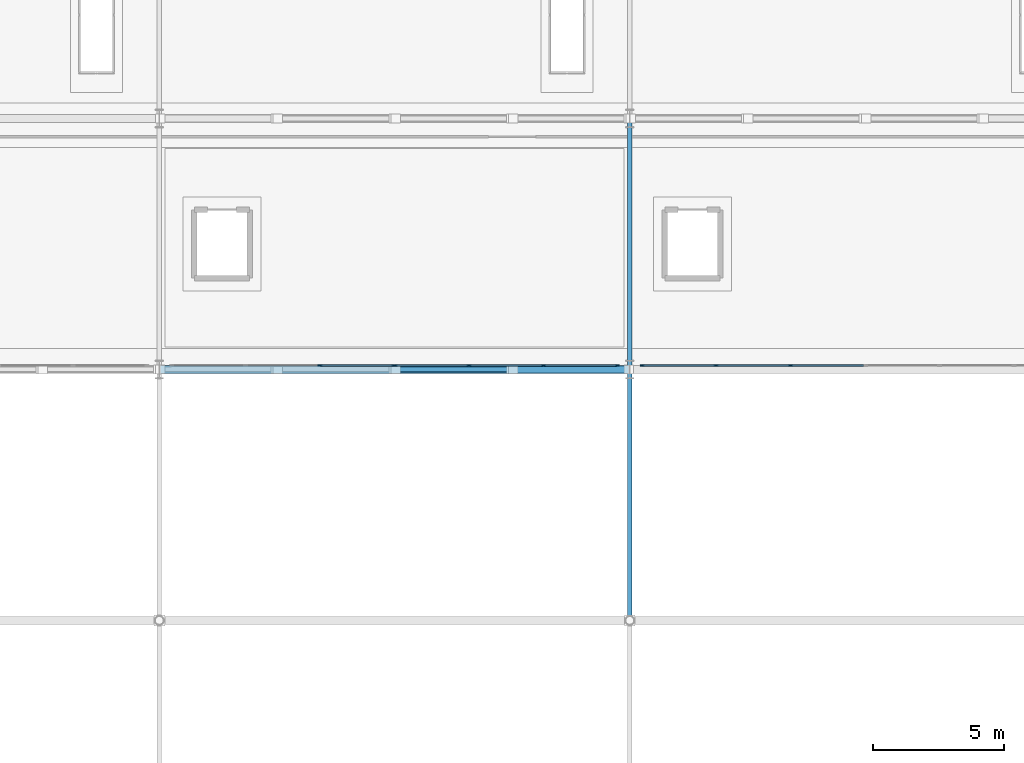
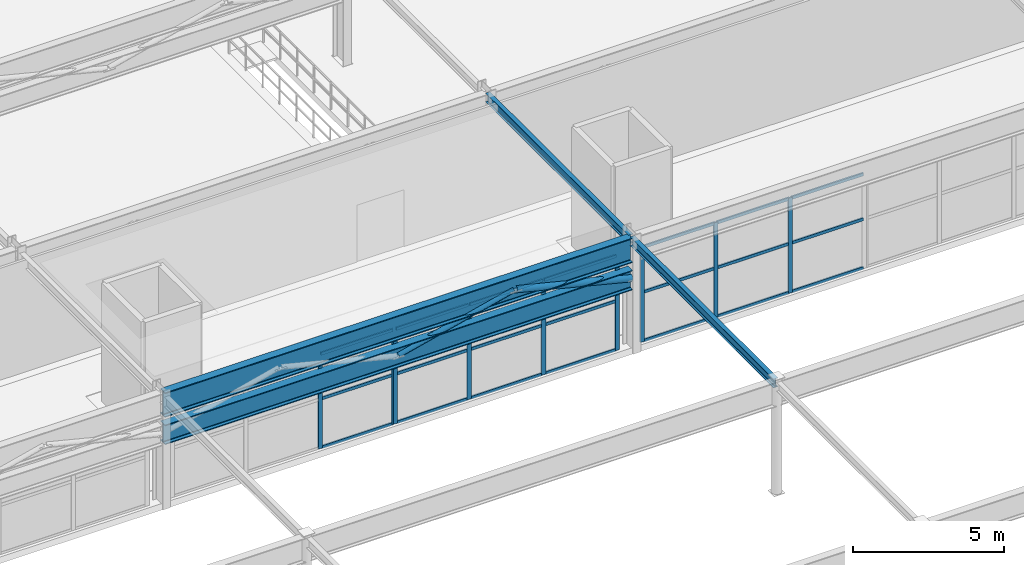
# One storey, part 27 of 125: 33 members, 3 beams, 3 elements without a shape of their own.
"""IFC4 building model written with IfcOpenShell, lengths in metres."""

from ifc_helpers import new_model, si_unit, direction, frame, origin, origin_2d, place, context, subcontext, project, spatial, rectangle, hollow_circle, i_section, extrude, material, layer, layer_set, material_profile, profile_set, type_object, element, aggregate, save


model = new_model("IFC4")

# Units and contexts
model_context = context("Model", 3, precision=1e-05, world=origin(), true_north=direction((0.0, 1.0)))
body_context = subcontext(model_context, "Body", "Model", "MODEL_VIEW")
ifc_project = project(units=[si_unit("LENGTHUNIT", "METRE"), si_unit("AREAUNIT", "SQUARE_METRE"), si_unit("VOLUMEUNIT", "CUBIC_METRE"), si_unit("PLANEANGLEUNIT", "RADIAN"), si_unit("MASSUNIT", "GRAM", prefix="KILO")], contexts=[model_context])

# Site, building, storey
site_placement = place(None, origin())
site = spatial("IfcSite", under=ifc_project, at=site_placement, CompositionType="ELEMENT")
building_placement = place(site_placement, origin())
building = spatial("IfcBuilding", under=site, at=building_placement, Name="Myrtia Square Station", CompositionType="ELEMENT")
storey_placement = place(building_placement, frame((0.0, 0.0, 6.0)))
storey = spatial("IfcBuildingStorey", under=building, at=storey_placement, Name="L01", CompositionType="ELEMENT", Elevation=6.0)

# Beams
ifc_material_1 = material(Name="Steel S355", Category="steel")
ifc_material_profile_1 = material_profile(ifc_material_1, i_section(OverallWidth=0.169921875, OverallDepth=0.360107421875, WebThickness=0.008056640625, FlangeThickness=0.0126953125, FilletRadius=0.01806640625, at=origin_2d()), Name="IPE 360")
ifc_profile_set_1 = profile_set([ifc_material_profile_1], Name="Steel S355")
beam_type_1 = type_object("IfcBeamType", Name="BM-IPE360", PredefinedType="BEAM", material=ifc_profile_set_1)
for number, where, z_axis, x_axis, name in (
    (1, (45.0, 28.85009765625, 4.375), (0.0, 1.0, 0.0), (-1.0, 0.0, 0.0), "Structural girder BMY-L01-0511"),
    (2, (45.0, 38.449951171875, 4.375), (0.0, 1.0, 0.0), (-1.0, 0.0, 0.0), "Structural girder BMY-L01-0512"),
):
    element("IfcBeam", number, at=place(storey_placement, frame(where, z_axis=z_axis, x_axis=x_axis)), inside=storey, type_object=beam_type_1, Name=name, PredefinedType="BEAM", context=body_context, shape_type="SweptSolid", body=[
        extrude(i_section(OverallWidth=0.169921875, OverallDepth=0.360107421875, WebThickness=0.008056640625, FlangeThickness=0.0126953125, FilletRadius=0.01806640625, at=origin_2d()), origin(), (0.0, 0.0, 1.0), 9.5),
    ])

# Members
ifc_material_profile_2 = material_profile(ifc_material_1, hollow_circle(Radius=0.109619140625, WallThickness=0.012451171875, at=origin_2d()), Name="CHS 219.1x12.5")
ifc_profile_set_2 = profile_set([ifc_material_profile_2], Name="Steel S355")
member_type_1 = type_object("IfcMemberType", Name="BRC-CHS219", PredefinedType="BRACE", material=ifc_profile_set_2)
member_1_placement = place(storey_placement, frame((36.0400390625, 38.39990234375, 2.85009765625), z_axis=(0.97040677758, 0.0, 0.241476056838), x_axis=(0.0, 1.0, 0.0)))
element("IfcMember", 3, at=member_1_placement, inside=storey, type_object=member_type_1, Name="Warren roof truss 01 diagonal 7", PredefinedType="BRACE", context=body_context, shape_type="SweptSolid", body=[
    extrude(hollow_circle(Radius=0.109619140625, WallThickness=0.012451171875, at=origin_2d()), origin(), (0.0, 0.0, 1.0), 4.5546875),
])
ifc_material_profile_3 = material_profile(ifc_material_1, hollow_circle(Radius=0.136474609375, WallThickness=0.01611328125, at=origin_2d()), Name="CHS 273x16")
ifc_profile_set_3 = profile_set([ifc_material_profile_3], Name="Steel S355")
member_type_2 = type_object("IfcMemberType", Name="BRC-CHS273", PredefinedType="BRACE", material=ifc_profile_set_3)
member_2_placement = place(storey_placement, frame((40.5400390625, 38.39990234375, 3.949951171875), z_axis=(0.97040677758, 0.0, -0.241476056838), x_axis=(0.0, 1.0, 0.0)))
element("IfcMember", 4, at=member_2_placement, inside=storey, type_object=member_type_2, Name="Warren roof truss 01 diagonal 8", PredefinedType="BRACE", context=body_context, shape_type="SweptSolid", body=[
    extrude(hollow_circle(Radius=0.136474609375, WallThickness=0.01611328125, at=origin_2d()), origin(), (0.0, 0.0, 1.0), 4.5546875),
])
ifc_material_profile_4 = material_profile(ifc_material_1, i_section(OverallWidth=0.300048828125, OverallDepth=0.800048828125, WebThickness=0.017578125, FlangeThickness=0.032958984375, FilletRadius=0.030029296875, at=origin_2d()), Name="HEB 800")
ifc_profile_set_4 = profile_set([ifc_material_profile_4], Name="Steel S355")
member_type_3 = type_object("IfcMemberType", Name="CHD-HEB800", PredefinedType="CHORD", material=ifc_profile_set_4)
member_3_placement = place(storey_placement, frame((27.050048828125, 38.39990234375, 2.85009765625), z_axis=(1.0, 0.0, 0.0), x_axis=(0.0, 1.0, 0.0)))
element("IfcMember", 5, at=member_3_placement, inside=storey, type_object=member_type_3, Name="Warren roof truss 01 bottom chord 2", PredefinedType="CHORD", context=body_context, shape_type="SweptSolid", body=[
    extrude(i_section(OverallWidth=0.300048828125, OverallDepth=0.800048828125, WebThickness=0.017578125, FlangeThickness=0.032958984375, FilletRadius=0.030029296875, at=origin_2d()), origin(), (0.0, 0.0, 1.0), 17.89990234375),
])

# Curtain wall, members
ifc_material_2 = material(Name="Dark bronze anodised aluminium", Category="aluminium")
ifc_layer = layer(ifc_material_2, 0.159912109375, Name="Dark bronze anodised aluminium")
ifc_layer_set = layer_set([ifc_layer], Name="Dark bronze anodised aluminium")
curtain_wall_type = type_object("IfcCurtainWallType", Name="CW-TYPE-18-855x385", PredefinedType="USERDEFINED", material=ifc_layer_set)
curtain_wall_1_placement = place(storey_placement, origin())
curtain_wall_1 = element("IfcCurtainWall", 6, at=curtain_wall_1_placement, inside=storey, type_object=curtain_wall_type, Name="Concourse curtain wall CW-L01-063", ObjectType="CONCOURSE CURTAIN WALL", PredefinedType="USERDEFINED")
ifc_material_profile_5 = material_profile(ifc_material_2, rectangle(XDim=0.06005859375, YDim=0.159912109375, at=origin_2d()), Name="ALU-M 60x160")
ifc_profile_set_5 = profile_set([ifc_material_profile_5], Name="Dark bronze anodised aluminium")
member_type_4 = type_object("IfcMemberType", Name="CWM-60x160", PredefinedType="MULLION", material=ifc_profile_set_5)
member_4_placement = place(storey_placement, frame((33.14990234375, 38.550048828125, 0.0), z_axis=(0.0, 0.0, 1.0), x_axis=(0.0, 1.0, 0.0)))
member_4 = element("IfcMember", 7, at=member_4_placement, type_object=member_type_4, Name="CW-063 mullion 3", PredefinedType="MULLION", context=body_context, shape_type="SweptSolid", body=[
    extrude(rectangle(XDim=0.06005859375, YDim=0.159912109375, at=origin_2d()), origin(), (0.0, 0.0, 1.0), 3.85009765625),
])
member_5_placement = place(storey_placement, frame((35.969970703125, 38.550048828125, 0.0), z_axis=(0.0, 0.0, 1.0), x_axis=(0.0, 1.0, 0.0)))
member_5 = element("IfcMember", 8, at=member_5_placement, type_object=member_type_4, Name="CW-063 mullion 4", PredefinedType="MULLION", context=body_context, shape_type="SweptSolid", body=[
    extrude(rectangle(XDim=0.06005859375, YDim=0.159912109375, at=origin_2d()), origin(), (0.0, 0.0, 1.0), 3.85009765625),
])

curtain_wall_2_placement = place(storey_placement, origin())
curtain_wall_2 = element("IfcCurtainWall", 9, at=curtain_wall_2_placement, inside=storey, type_object=curtain_wall_type, Name="Concourse curtain wall CW-L01-065", ObjectType="CONCOURSE CURTAIN WALL", PredefinedType="USERDEFINED")
member_6_placement = place(storey_placement, frame((36.030029296875, 38.550048828125, 0.0), z_axis=(0.0, 0.0, 1.0), x_axis=(0.0, 1.0, 0.0)))
member_6 = element("IfcMember", 10, at=member_6_placement, type_object=member_type_4, Name="CW-065 mullion 1", PredefinedType="MULLION", context=body_context, shape_type="SweptSolid", body=[
    extrude(rectangle(XDim=0.06005859375, YDim=0.159912109375, at=origin_2d()), origin(), (0.0, 0.0, 1.0), 3.85009765625),
])
member_7_placement = place(storey_placement, frame((38.85009765625, 38.550048828125, 0.0), z_axis=(0.0, 0.0, 1.0), x_axis=(0.0, 1.0, 0.0)))
member_7 = element("IfcMember", 11, at=member_7_placement, type_object=member_type_4, Name="CW-065 mullion 2", PredefinedType="MULLION", context=body_context, shape_type="SweptSolid", body=[
    extrude(rectangle(XDim=0.06005859375, YDim=0.159912109375, at=origin_2d()), origin(), (0.0, 0.0, 1.0), 3.85009765625),
])
member_8_placement = place(storey_placement, frame((41.699951171875, 38.550048828125, 0.0), z_axis=(0.0, 0.0, 1.0), x_axis=(0.0, 1.0, 0.0)))
member_8 = element("IfcMember", 12, at=member_8_placement, type_object=member_type_4, Name="CW-065 mullion 3", PredefinedType="MULLION", context=body_context, shape_type="SweptSolid", body=[
    extrude(rectangle(XDim=0.06005859375, YDim=0.159912109375, at=origin_2d()), origin(), (0.0, 0.0, 1.0), 3.85009765625),
])
member_9_placement = place(storey_placement, frame((44.52001953125, 38.550048828125, 0.0), z_axis=(0.0, 0.0, 1.0), x_axis=(0.0, 1.0, 0.0)))
member_9 = element("IfcMember", 13, at=member_9_placement, type_object=member_type_4, Name="CW-065 mullion 4", PredefinedType="MULLION", context=body_context, shape_type="SweptSolid", body=[
    extrude(rectangle(XDim=0.06005859375, YDim=0.159912109375, at=origin_2d()), origin(), (0.0, 0.0, 1.0), 3.85009765625),
])

curtain_wall_3_placement = place(storey_placement, origin())
curtain_wall_3 = element("IfcCurtainWall", 14, at=curtain_wall_3_placement, inside=storey, type_object=curtain_wall_type, Name="Concourse curtain wall CW-L01-067", ObjectType="CONCOURSE CURTAIN WALL", PredefinedType="USERDEFINED")
member_10_placement = place(storey_placement, frame((45.47998046875, 38.550048828125, 0.0), z_axis=(0.0, 0.0, 1.0), x_axis=(0.0, 1.0, 0.0)))
member_10 = element("IfcMember", 15, at=member_10_placement, type_object=member_type_4, Name="CW-067 mullion 1", PredefinedType="MULLION", context=body_context, shape_type="SweptSolid", body=[
    extrude(rectangle(XDim=0.06005859375, YDim=0.159912109375, at=origin_2d()), origin(), (0.0, 0.0, 1.0), 3.85009765625),
])
member_11_placement = place(storey_placement, frame((48.300048828125, 38.550048828125, 0.0), z_axis=(0.0, 0.0, 1.0), x_axis=(0.0, 1.0, 0.0)))
member_11 = element("IfcMember", 16, at=member_11_placement, type_object=member_type_4, Name="CW-067 mullion 2", PredefinedType="MULLION", context=body_context, shape_type="SweptSolid", body=[
    extrude(rectangle(XDim=0.06005859375, YDim=0.159912109375, at=origin_2d()), origin(), (0.0, 0.0, 1.0), 3.85009765625),
])
member_12_placement = place(storey_placement, frame((51.14990234375, 38.550048828125, 0.0), z_axis=(0.0, 0.0, 1.0), x_axis=(0.0, 1.0, 0.0)))
member_12 = element("IfcMember", 17, at=member_12_placement, type_object=member_type_4, Name="CW-067 mullion 3", PredefinedType="MULLION", context=body_context, shape_type="SweptSolid", body=[
    extrude(rectangle(XDim=0.06005859375, YDim=0.159912109375, at=origin_2d()), origin(), (0.0, 0.0, 1.0), 3.85009765625),
])

# Member
ifc_material_profile_6 = material_profile(ifc_material_2, rectangle(XDim=0.06005859375, YDim=0.1201171875, at=origin_2d()), Name="ALU-T 60x120")
ifc_profile_set_6 = profile_set([ifc_material_profile_6], Name="Dark bronze anodised aluminium")
member_type_5 = type_object("IfcMemberType", Name="CWT-60x120", PredefinedType="USERDEFINED", material=ifc_profile_set_6)
member_13_placement = place(storey_placement, frame((33.179931640625, 38.550048828125, 0.030029296875), z_axis=(1.0, 0.0, 0.0), x_axis=(0.0, 1.0, 0.0)))
member_13 = element("IfcMember", 18, at=member_13_placement, type_object=member_type_5, Name="CW-063 transom 3.1", ObjectType="TRANSOM", PredefinedType="USERDEFINED", context=body_context, shape_type="SweptSolid", body=[
    extrude(rectangle(XDim=0.06005859375, YDim=0.1201171875, at=origin_2d()), origin(), (0.0, 0.0, 1.0), 2.760009765625),
])

member_14_placement = place(storey_placement, frame((33.179931640625, 38.550048828125, 2.001953125), z_axis=(1.0, 0.0, 0.0), x_axis=(0.0, 1.0, 0.0)))
member_14 = element("IfcMember", 19, at=member_14_placement, type_object=member_type_5, Name="CW-063 transom 3.2", ObjectType="TRANSOM", PredefinedType="USERDEFINED", context=body_context, shape_type="SweptSolid", body=[
    extrude(rectangle(XDim=0.06005859375, YDim=0.1201171875, at=origin_2d()), origin(), (0.0, 0.0, 1.0), 2.760009765625),
])

member_15_placement = place(storey_placement, frame((33.179931640625, 38.550048828125, 3.820068359375), z_axis=(1.0, 0.0, 0.0), x_axis=(0.0, 1.0, 0.0)))
member_15 = element("IfcMember", 20, at=member_15_placement, type_object=member_type_5, Name="CW-063 transom 3.3", ObjectType="TRANSOM", PredefinedType="USERDEFINED", context=body_context, shape_type="SweptSolid", body=[
    extrude(rectangle(XDim=0.06005859375, YDim=0.1201171875, at=origin_2d()), origin(), (0.0, 0.0, 1.0), 2.760009765625),
])

aggregate(curtain_wall_1, [member_4, member_5, member_13, member_14, member_15])

member_16_placement = place(storey_placement, frame((36.06005859375, 38.550048828125, 0.030029296875), z_axis=(1.0, 0.0, 0.0), x_axis=(0.0, 1.0, 0.0)))
member_16 = element("IfcMember", 21, at=member_16_placement, type_object=member_type_5, Name="CW-065 transom 1.1", ObjectType="TRANSOM", PredefinedType="USERDEFINED", context=body_context, shape_type="SweptSolid", body=[
    extrude(rectangle(XDim=0.06005859375, YDim=0.1201171875, at=origin_2d()), origin(), (0.0, 0.0, 1.0), 2.760009765625),
])

member_17_placement = place(storey_placement, frame((36.06005859375, 38.550048828125, 2.001953125), z_axis=(1.0, 0.0, 0.0), x_axis=(0.0, 1.0, 0.0)))
member_17 = element("IfcMember", 22, at=member_17_placement, type_object=member_type_5, Name="CW-065 transom 1.2", ObjectType="TRANSOM", PredefinedType="USERDEFINED", context=body_context, shape_type="SweptSolid", body=[
    extrude(rectangle(XDim=0.06005859375, YDim=0.1201171875, at=origin_2d()), origin(), (0.0, 0.0, 1.0), 2.760009765625),
])

member_18_placement = place(storey_placement, frame((36.06005859375, 38.550048828125, 3.820068359375), z_axis=(1.0, 0.0, 0.0), x_axis=(0.0, 1.0, 0.0)))
member_18 = element("IfcMember", 23, at=member_18_placement, type_object=member_type_5, Name="CW-065 transom 1.3", ObjectType="TRANSOM", PredefinedType="USERDEFINED", context=body_context, shape_type="SweptSolid", body=[
    extrude(rectangle(XDim=0.06005859375, YDim=0.1201171875, at=origin_2d()), origin(), (0.0, 0.0, 1.0), 2.760009765625),
])

member_19_placement = place(storey_placement, frame((38.8798828125, 38.550048828125, 0.030029296875), z_axis=(1.0, 0.0, 0.0), x_axis=(0.0, 1.0, 0.0)))
member_19 = element("IfcMember", 24, at=member_19_placement, type_object=member_type_5, Name="CW-065 transom 2.1", ObjectType="TRANSOM", PredefinedType="USERDEFINED", context=body_context, shape_type="SweptSolid", body=[
    extrude(rectangle(XDim=0.06005859375, YDim=0.1201171875, at=origin_2d()), origin(), (0.0, 0.0, 1.0), 2.7900390625),
])

member_20_placement = place(storey_placement, frame((38.8798828125, 38.550048828125, 2.001953125), z_axis=(1.0, 0.0, 0.0), x_axis=(0.0, 1.0, 0.0)))
member_20 = element("IfcMember", 25, at=member_20_placement, type_object=member_type_5, Name="CW-065 transom 2.2", ObjectType="TRANSOM", PredefinedType="USERDEFINED", context=body_context, shape_type="SweptSolid", body=[
    extrude(rectangle(XDim=0.06005859375, YDim=0.1201171875, at=origin_2d()), origin(), (0.0, 0.0, 1.0), 2.7900390625),
])

member_21_placement = place(storey_placement, frame((38.8798828125, 38.550048828125, 3.820068359375), z_axis=(1.0, 0.0, 0.0), x_axis=(0.0, 1.0, 0.0)))
member_21 = element("IfcMember", 26, at=member_21_placement, type_object=member_type_5, Name="CW-065 transom 2.3", ObjectType="TRANSOM", PredefinedType="USERDEFINED", context=body_context, shape_type="SweptSolid", body=[
    extrude(rectangle(XDim=0.06005859375, YDim=0.1201171875, at=origin_2d()), origin(), (0.0, 0.0, 1.0), 2.7900390625),
])

member_22_placement = place(storey_placement, frame((41.72998046875, 38.550048828125, 0.030029296875), z_axis=(1.0, 0.0, 0.0), x_axis=(0.0, 1.0, 0.0)))
member_22 = element("IfcMember", 27, at=member_22_placement, type_object=member_type_5, Name="CW-065 transom 3.1", ObjectType="TRANSOM", PredefinedType="USERDEFINED", context=body_context, shape_type="SweptSolid", body=[
    extrude(rectangle(XDim=0.06005859375, YDim=0.1201171875, at=origin_2d()), origin(), (0.0, 0.0, 1.0), 2.760009765625),
])

member_23_placement = place(storey_placement, frame((41.72998046875, 38.550048828125, 2.001953125), z_axis=(1.0, 0.0, 0.0), x_axis=(0.0, 1.0, 0.0)))
member_23 = element("IfcMember", 28, at=member_23_placement, type_object=member_type_5, Name="CW-065 transom 3.2", ObjectType="TRANSOM", PredefinedType="USERDEFINED", context=body_context, shape_type="SweptSolid", body=[
    extrude(rectangle(XDim=0.06005859375, YDim=0.1201171875, at=origin_2d()), origin(), (0.0, 0.0, 1.0), 2.760009765625),
])

member_24_placement = place(storey_placement, frame((41.72998046875, 38.550048828125, 3.820068359375), z_axis=(1.0, 0.0, 0.0), x_axis=(0.0, 1.0, 0.0)))
member_24 = element("IfcMember", 29, at=member_24_placement, type_object=member_type_5, Name="CW-065 transom 3.3", ObjectType="TRANSOM", PredefinedType="USERDEFINED", context=body_context, shape_type="SweptSolid", body=[
    extrude(rectangle(XDim=0.06005859375, YDim=0.1201171875, at=origin_2d()), origin(), (0.0, 0.0, 1.0), 2.760009765625),
])

aggregate(curtain_wall_2, [member_6, member_7, member_8, member_9, member_16, member_17, member_18, member_19, member_20, member_21, member_22, member_23, member_24])

member_25_placement = place(storey_placement, frame((45.510009765625, 38.550048828125, 0.030029296875), z_axis=(1.0, 0.0, 0.0), x_axis=(0.0, 1.0, 0.0)))
member_25 = element("IfcMember", 30, at=member_25_placement, type_object=member_type_5, Name="CW-067 transom 1.1", ObjectType="TRANSOM", PredefinedType="USERDEFINED", context=body_context, shape_type="SweptSolid", body=[
    extrude(rectangle(XDim=0.06005859375, YDim=0.1201171875, at=origin_2d()), origin(), (0.0, 0.0, 1.0), 2.760009765625),
])

member_26_placement = place(storey_placement, frame((45.510009765625, 38.550048828125, 2.001953125), z_axis=(1.0, 0.0, 0.0), x_axis=(0.0, 1.0, 0.0)))
member_26 = element("IfcMember", 31, at=member_26_placement, type_object=member_type_5, Name="CW-067 transom 1.2", ObjectType="TRANSOM", PredefinedType="USERDEFINED", context=body_context, shape_type="SweptSolid", body=[
    extrude(rectangle(XDim=0.06005859375, YDim=0.1201171875, at=origin_2d()), origin(), (0.0, 0.0, 1.0), 2.760009765625),
])

member_27_placement = place(storey_placement, frame((45.510009765625, 38.550048828125, 3.820068359375), z_axis=(1.0, 0.0, 0.0), x_axis=(0.0, 1.0, 0.0)))
member_27 = element("IfcMember", 32, at=member_27_placement, type_object=member_type_5, Name="CW-067 transom 1.3", ObjectType="TRANSOM", PredefinedType="USERDEFINED", context=body_context, shape_type="SweptSolid", body=[
    extrude(rectangle(XDim=0.06005859375, YDim=0.1201171875, at=origin_2d()), origin(), (0.0, 0.0, 1.0), 2.760009765625),
])

member_28_placement = place(storey_placement, frame((48.330078125, 38.550048828125, 0.030029296875), z_axis=(1.0, 0.0, 0.0), x_axis=(0.0, 1.0, 0.0)))
member_28 = element("IfcMember", 33, at=member_28_placement, type_object=member_type_5, Name="CW-067 transom 2.1", ObjectType="TRANSOM", PredefinedType="USERDEFINED", context=body_context, shape_type="SweptSolid", body=[
    extrude(rectangle(XDim=0.06005859375, YDim=0.1201171875, at=origin_2d()), origin(), (0.0, 0.0, 1.0), 2.7900390625),
])

member_29_placement = place(storey_placement, frame((48.330078125, 38.550048828125, 2.001953125), z_axis=(1.0, 0.0, 0.0), x_axis=(0.0, 1.0, 0.0)))
member_29 = element("IfcMember", 34, at=member_29_placement, type_object=member_type_5, Name="CW-067 transom 2.2", ObjectType="TRANSOM", PredefinedType="USERDEFINED", context=body_context, shape_type="SweptSolid", body=[
    extrude(rectangle(XDim=0.06005859375, YDim=0.1201171875, at=origin_2d()), origin(), (0.0, 0.0, 1.0), 2.7900390625),
])

member_30_placement = place(storey_placement, frame((48.330078125, 38.550048828125, 3.820068359375), z_axis=(1.0, 0.0, 0.0), x_axis=(0.0, 1.0, 0.0)))
member_30 = element("IfcMember", 35, at=member_30_placement, type_object=member_type_5, Name="CW-067 transom 2.3", ObjectType="TRANSOM", PredefinedType="USERDEFINED", context=body_context, shape_type="SweptSolid", body=[
    extrude(rectangle(XDim=0.06005859375, YDim=0.1201171875, at=origin_2d()), origin(), (0.0, 0.0, 1.0), 2.7900390625),
])

member_31_placement = place(storey_placement, frame((51.179931640625, 38.550048828125, 0.030029296875), z_axis=(1.0, 0.0, 0.0), x_axis=(0.0, 1.0, 0.0)))
member_31 = element("IfcMember", 36, at=member_31_placement, type_object=member_type_5, Name="CW-067 transom 3.1", ObjectType="TRANSOM", PredefinedType="USERDEFINED", context=body_context, shape_type="SweptSolid", body=[
    extrude(rectangle(XDim=0.06005859375, YDim=0.1201171875, at=origin_2d()), origin(), (0.0, 0.0, 1.0), 2.760009765625),
])

member_32_placement = place(storey_placement, frame((51.179931640625, 38.550048828125, 2.001953125), z_axis=(1.0, 0.0, 0.0), x_axis=(0.0, 1.0, 0.0)))
member_32 = element("IfcMember", 37, at=member_32_placement, type_object=member_type_5, Name="CW-067 transom 3.2", ObjectType="TRANSOM", PredefinedType="USERDEFINED", context=body_context, shape_type="SweptSolid", body=[
    extrude(rectangle(XDim=0.06005859375, YDim=0.1201171875, at=origin_2d()), origin(), (0.0, 0.0, 1.0), 2.760009765625),
])

member_33_placement = place(storey_placement, frame((51.179931640625, 38.550048828125, 3.820068359375), z_axis=(1.0, 0.0, 0.0), x_axis=(0.0, 1.0, 0.0)))
member_33 = element("IfcMember", 38, at=member_33_placement, type_object=member_type_5, Name="CW-067 transom 3.3", ObjectType="TRANSOM", PredefinedType="USERDEFINED", context=body_context, shape_type="SweptSolid", body=[
    extrude(rectangle(XDim=0.06005859375, YDim=0.1201171875, at=origin_2d()), origin(), (0.0, 0.0, 1.0), 2.760009765625),
])

aggregate(curtain_wall_3, [member_10, member_11, member_12, member_25, member_26, member_27, member_28, member_29, member_30, member_31, member_32, member_33])

# Beam
ifc_material_profile_7 = material_profile(ifc_material_1, i_section(OverallWidth=0.300048828125, OverallDepth=1.0, WebThickness=0.01904296875, FlangeThickness=0.035888671875, FilletRadius=0.030029296875, at=origin_2d()), Name="HEB 1000")
ifc_profile_set_7 = profile_set([ifc_material_profile_7], Name="Steel S355")
beam_type_2 = type_object("IfcBeamType", Name="TG-HEB1000", PredefinedType="USERDEFINED", material=ifc_profile_set_7)
beam_placement = place(storey_placement, frame((27.050048828125, 38.39990234375, 4.054931640625), z_axis=(1.0, 0.0, 0.0), x_axis=(0.0, 1.0, 0.0)))
element("IfcBeam", 39, at=beam_placement, inside=storey, type_object=beam_type_2, Name="Structural girder TG-L01-0110", ObjectType="TRANSFER GIRDER", PredefinedType="USERDEFINED", context=body_context, shape_type="SweptSolid", body=[
    extrude(i_section(OverallWidth=0.300048828125, OverallDepth=1.0, WebThickness=0.01904296875, FlangeThickness=0.035888671875, FilletRadius=0.030029296875, at=origin_2d()), origin(), (0.0, 0.0, 1.0), 17.89990234375),
])

save(model, "model.ifc")
